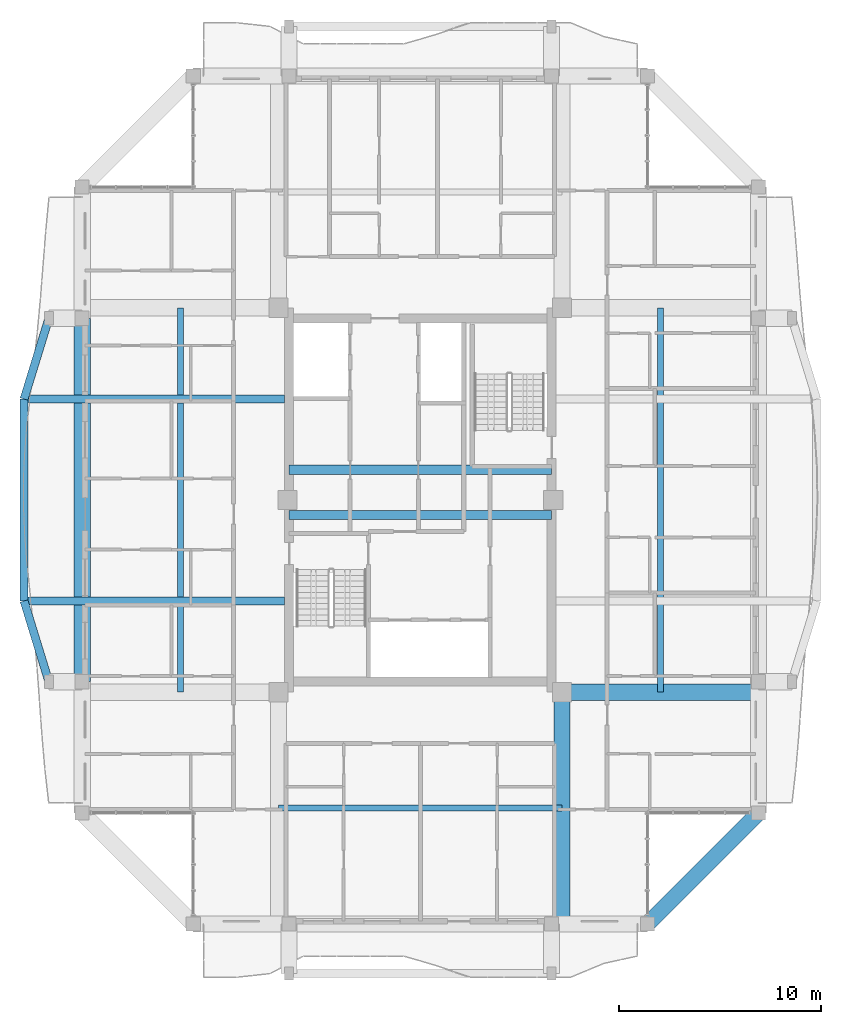
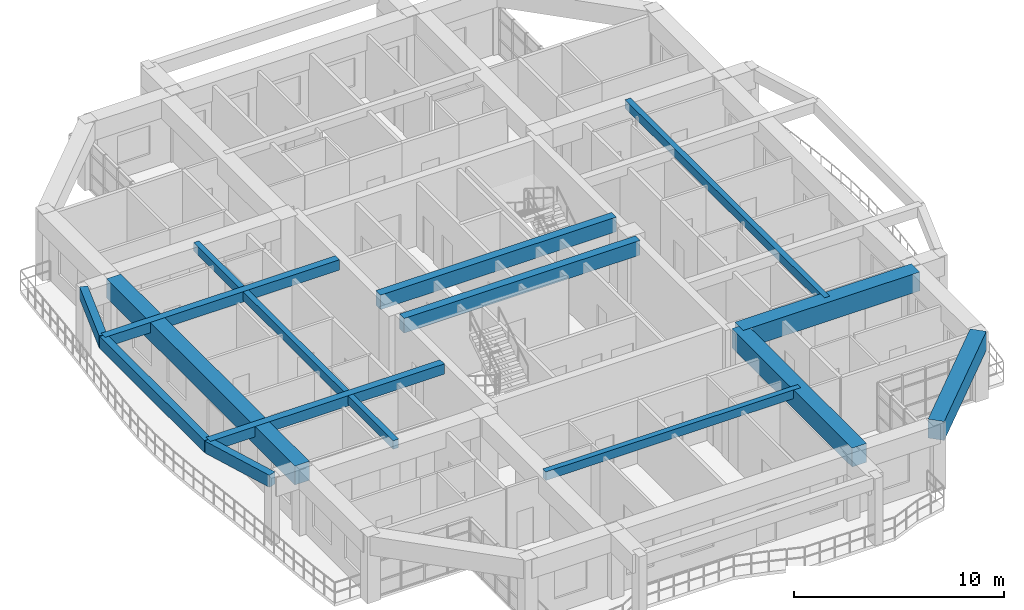
# One storey, part 5 of 27: 14 beams.
"""IFC4 building model written with IfcOpenShell, lengths in metres."""

from ifc_helpers import new_model, si_unit, direction, frame, origin, origin_2d, place, context, subcontext, project, spatial, rectangle, extrude, source, transform, mapped, material, material_profile, profile_set, type_object, element, save


model = new_model("IFC4")

# Units and contexts
model_context = context("Model", 3, precision=1e-05, world=origin(), true_north=direction((0.0, 1.0)))
body_context = subcontext(model_context, "Body", "Model", "MODEL_VIEW")
ifc_project = project(units=[si_unit("LENGTHUNIT", "METRE"), si_unit("AREAUNIT", "SQUARE_METRE"), si_unit("VOLUMEUNIT", "CUBIC_METRE"), si_unit("PLANEANGLEUNIT", "RADIAN"), si_unit("MASSUNIT", "GRAM", prefix="KILO")], contexts=[model_context])

# Site, building, storey
site_placement = place(None, origin())
site = spatial("IfcSite", under=ifc_project, at=site_placement, CompositionType="ELEMENT")
building_placement = place(site_placement, origin())
building = spatial("IfcBuilding", under=site, at=building_placement, Name="Saelheon Loggia Tower", CompositionType="ELEMENT")
storey_placement = place(building_placement, frame((0.0, 0.0, 226.199951171875)))
storey = spatial("IfcBuildingStorey", under=building, at=storey_placement, Name="L70", CompositionType="ELEMENT", Elevation=226.199951171875)

# Beams
ifc_material_1 = material(Name="Concrete C50/60", Category="concrete")
ifc_material_profile_1 = material_profile(ifc_material_1, rectangle(XDim=0.449951171875, YDim=0.85009765625, at=origin_2d()), Name="RC-450x850")
ifc_profile_set_1 = profile_set([ifc_material_profile_1], Name="Concrete C50/60")
beam_type_1 = type_object("IfcBeamType", Name="Beam_CoreLintel_RC450x850", PredefinedType="LINTEL", material=ifc_profile_set_1)
shared_shape_1 = source(origin(), body_context, "Body", "SweptSolid", [
    extrude(rectangle(XDim=0.449951171875, YDim=0.85009765625, at=origin_2d()), origin(), (0.0, 0.0, 1.0), 13.0),
])
for number, where, z_axis, x_axis, name in (
    (1, (31.5, 26.25, 3.47509765625), (1.0, 0.0, 0.0), (0.0, 1.0, 0.0), "L70 Core Coupling Lintel 1"),
    (2, (31.5, 28.5, 3.47509765625), (1.0, 0.0, 0.0), (0.0, 1.0, 0.0), "L70 Core Coupling Lintel 2"),
):
    element("IfcBeam", number, at=place(storey_placement, frame(where, z_axis=z_axis, x_axis=x_axis)), inside=storey, type_object=beam_type_1, Name=name, PredefinedType="LINTEL", context=body_context, shape_type="MappedRepresentation", body=[
        mapped(shared_shape_1, transform((0.0, 0.0, 0.0), scale=1.0)),
    ])
ifc_material_2 = material(Name="Concrete C40/50", Category="concrete")
ifc_material_profile_2 = material_profile(ifc_material_2, rectangle(XDim=0.300048828125, YDim=0.5, at=origin_2d()), Name="RC-300x500")
ifc_profile_set_2 = profile_set([ifc_material_profile_2], Name="Concrete C40/50")
beam_type_2 = type_object("IfcBeamType", Name="Beam_Joist_RC300x500", PredefinedType="JOIST", material=ifc_profile_set_2)
shared_shape_2 = source(origin(), body_context, "Body", "SweptSolid", [
    extrude(rectangle(XDim=0.300048828125, YDim=0.5, at=origin_2d()), origin(), (0.0, 0.0, 1.0), 14.0400390625),
])
beam_1_placement = place(storey_placement, frame((30.97998046875, 11.739990234375, 3.650146484375), z_axis=(1.0, 0.0, 0.0), x_axis=(0.0, 1.0, 0.0)))
element("IfcBeam", 3, at=beam_1_placement, inside=storey, type_object=beam_type_2, Name="L70 South Floor Joist", PredefinedType="JOIST", context=body_context, shape_type="MappedRepresentation", body=[
    mapped(shared_shape_2, transform((0.0, 0.0, 0.0), scale=1.0)),
])
shared_shape_3 = source(origin(), body_context, "Body", "SweptSolid", [
    extrude(rectangle(XDim=0.300048828125, YDim=0.5, at=origin_2d()), origin(), (0.0, 0.0, 1.0), 19.0400390625),
])
for number, where, z_axis, x_axis, name in (
    (4, (26.114990234375, 17.47998046875, 3.650146484375), (0.0, 1.0, 0.0), (-1.0, 0.0, 0.0), "L70 West Floor Joist"),
    (5, (49.885009765625, 17.47998046875, 3.650146484375), (0.0, 1.0, 0.0), (-1.0, 0.0, 0.0), "L70 East Floor Joist"),
):
    element("IfcBeam", number, at=place(storey_placement, frame(where, z_axis=z_axis, x_axis=x_axis)), inside=storey, type_object=beam_type_2, Name=name, PredefinedType="JOIST", context=body_context, shape_type="MappedRepresentation", body=[
        mapped(shared_shape_3, transform((0.0, 0.0, 0.0), scale=1.0)),
    ])
ifc_material_profile_3 = material_profile(ifc_material_1, rectangle(XDim=0.800048828125, YDim=1.10009765625, at=origin_2d()), Name="RC-800x1100")
ifc_profile_set_3 = profile_set([ifc_material_profile_3], Name="Concrete C50/60")
beam_type_3 = type_object("IfcBeamType", Name="Beam_PerimSetback_RC800x1100", PredefinedType="BEAM", material=ifc_profile_set_3)
shared_shape_4 = source(origin(), body_context, "Body", "SweptSolid", [
    extrude(rectangle(XDim=0.800048828125, YDim=1.10009765625, at=origin_2d()), origin(), (0.0, 0.0, 1.0), 18.0),
])
beam_2_placement = place(storey_placement, frame((21.25, 36.0, 3.35009765625), z_axis=(0.0, -1.0, 0.0), x_axis=(1.0, 0.0, 0.0)))
element("IfcBeam", 6, at=beam_2_placement, inside=storey, type_object=beam_type_3, Name="L70 Perimeter Frame Girder 14", PredefinedType="BEAM", context=body_context, shape_type="MappedRepresentation", body=[
    mapped(shared_shape_4, transform((0.0, 0.0, 0.0), scale=1.0)),
])
ifc_material_profile_4 = material_profile(ifc_material_1, rectangle(XDim=0.800048828125, YDim=1.10009765625, at=origin_2d()), Name="RC-800x1100")
ifc_profile_set_4 = profile_set([ifc_material_profile_4], Name="Concrete C50/60")
beam_type_4 = type_object("IfcBeamType", Name="Beam_SetbackTransfer_RC800x1100", PredefinedType="BEAM", material=ifc_profile_set_4)
shared_shape_5 = source(origin(), body_context, "Body", "SweptSolid", [
    extrude(rectangle(XDim=0.800048828125, YDim=1.10009765625, at=origin_2d()), origin(), (0.0, 0.0, 1.0), 11.47998046875),
])
beam_3_placement = place(storey_placement, frame((45.02001953125, 17.47998046875, 3.35009765625), z_axis=(0.0, -1.0, 0.0), x_axis=(1.0, 0.0, 0.0)))
element("IfcBeam", 7, at=beam_3_placement, inside=storey, type_object=beam_type_4, Name="L70 Radial Floor Girder RAD-SE-S", PredefinedType="BEAM", context=body_context, shape_type="MappedRepresentation", body=[
    mapped(shared_shape_5, transform((0.0, 0.0, 0.0), scale=1.0)),
])
ifc_material_3 = material(Name="Precast Concrete C45/55", Category="concrete")
ifc_material_profile_5 = material_profile(ifc_material_3, rectangle(XDim=0.39990234375, YDim=0.699951171875, at=origin_2d()), Name="RC-400x700")
ifc_profile_set_5 = profile_set([ifc_material_profile_5], Name="Precast Concrete C45/55")
beam_type_5 = type_object("IfcBeamType", Name="Beam_LoggiaSpandrel_RC400x700", PredefinedType="SPANDREL", material=ifc_profile_set_5)
shared_shape_6 = source(origin(), body_context, "Body", "SweptSolid", [
    extrude(rectangle(XDim=0.39990234375, YDim=0.699951171875, at=origin_2d()), origin(), (0.0, 0.0, 1.0), 4.184814453125),
])
for number, where, z_axis, x_axis, name in (
    (8, (19.60009765625, 18.0, 3.550048828125), (-0.293913664135, 0.955831971653, 0.0), (-0.955831971653, -0.293913664135, 0.0), "L70 Curved Loggia Spandrel W 1"),
    (9, (18.3701171875, 32.0, 3.550048828125), (0.293913664135, 0.955831971653, 0.0), (-0.955831971653, 0.293913664135, 0.0), "L70 Curved Loggia Spandrel W 3"),
):
    element("IfcBeam", number, at=place(storey_placement, frame(where, z_axis=z_axis, x_axis=x_axis)), inside=storey, type_object=beam_type_5, Name=name, PredefinedType="SPANDREL", context=body_context, shape_type="MappedRepresentation", body=[
        mapped(shared_shape_6, transform((0.0, 0.0, 0.0), scale=1.0)),
    ])
shared_shape_7 = source(origin(), body_context, "Body", "SweptSolid", [
    extrude(rectangle(XDim=0.39990234375, YDim=0.699951171875, at=origin_2d()), origin(), (0.0, 0.0, 1.0), 10.0),
])
beam_4_placement = place(storey_placement, frame((18.3701171875, 22.0, 3.550048828125), z_axis=(0.0, 1.0, 0.0), x_axis=(-1.0, 0.0, 0.0)))
element("IfcBeam", 10, at=beam_4_placement, inside=storey, type_object=beam_type_5, Name="L70 Curved Loggia Spandrel W 2", PredefinedType="SPANDREL", context=body_context, shape_type="MappedRepresentation", body=[
    mapped(shared_shape_7, transform((0.0, 0.0, 0.0), scale=1.0)),
])
shared_shape_8 = source(origin(), body_context, "Body", "SweptSolid", [
    extrude(rectangle(XDim=0.800048828125, YDim=1.10009765625, at=origin_2d()), origin(), (0.0, 0.0, 1.0), 7.778076171875),
])
beam_5_placement = place(storey_placement, frame((49.25, 6.0, 3.35009765625), z_axis=(0.707106781187, 0.707106781187, 0.0), x_axis=(-0.707106781187, 0.707106781187, 0.0)))
element("IfcBeam", 11, at=beam_5_placement, inside=storey, type_object=beam_type_3, Name="L70 Perimeter Frame Girder 04", PredefinedType="BEAM", context=body_context, shape_type="MappedRepresentation", body=[
    mapped(shared_shape_8, transform((0.0, 0.0, 0.0), scale=1.0)),
])
ifc_material_profile_6 = material_profile(ifc_material_3, rectangle(XDim=0.39990234375, YDim=0.60009765625, at=origin_2d()), Name="RC-400x600")
ifc_profile_set_6 = profile_set([ifc_material_profile_6], Name="Precast Concrete C45/55")
beam_type_6 = type_object("IfcBeamType", Name="Beam_LoggiaTie_RC400x600", PredefinedType="BEAM", material=ifc_profile_set_6)
shared_shape_9 = source(origin(), body_context, "Body", "SweptSolid", [
    extrude(rectangle(XDim=0.39990234375, YDim=0.60009765625, at=origin_2d()), origin(), (0.0, 0.0, 1.0), 12.909912109375),
])
for number, where, z_axis, x_axis, name in (
    (12, (31.280029296875, 22.0, 3.60009765625), (-1.0, 0.0, 0.0), (0.0, -1.0, 0.0), "L70 Curved Facade Outrigger Beam W 1"),
    (13, (31.280029296875, 32.0, 3.60009765625), (-1.0, 0.0, 0.0), (0.0, -1.0, 0.0), "L70 Curved Facade Outrigger Beam W 2"),
):
    element("IfcBeam", number, at=place(storey_placement, frame(where, z_axis=z_axis, x_axis=x_axis)), inside=storey, type_object=beam_type_6, Name=name, PredefinedType="BEAM", context=body_context, shape_type="MappedRepresentation", body=[
        mapped(shared_shape_9, transform((0.0, 0.0, 0.0), scale=1.0)),
    ])
shared_shape_10 = source(origin(), body_context, "Body", "SweptSolid", [
    extrude(rectangle(XDim=0.800048828125, YDim=1.10009765625, at=origin_2d()), origin(), (0.0, 0.0, 1.0), 9.72998046875),
])
beam_6_placement = place(storey_placement, frame((45.02001953125, 17.47998046875, 3.35009765625), z_axis=(1.0, 0.0, 0.0), x_axis=(0.0, 1.0, 0.0)))
element("IfcBeam", 14, at=beam_6_placement, inside=storey, type_object=beam_type_4, Name="L70 Radial Floor Girder RAD-SE-E", PredefinedType="BEAM", context=body_context, shape_type="MappedRepresentation", body=[
    mapped(shared_shape_10, transform((0.0, 0.0, 0.0), scale=1.0)),
])

save(model, "model.ifc")
